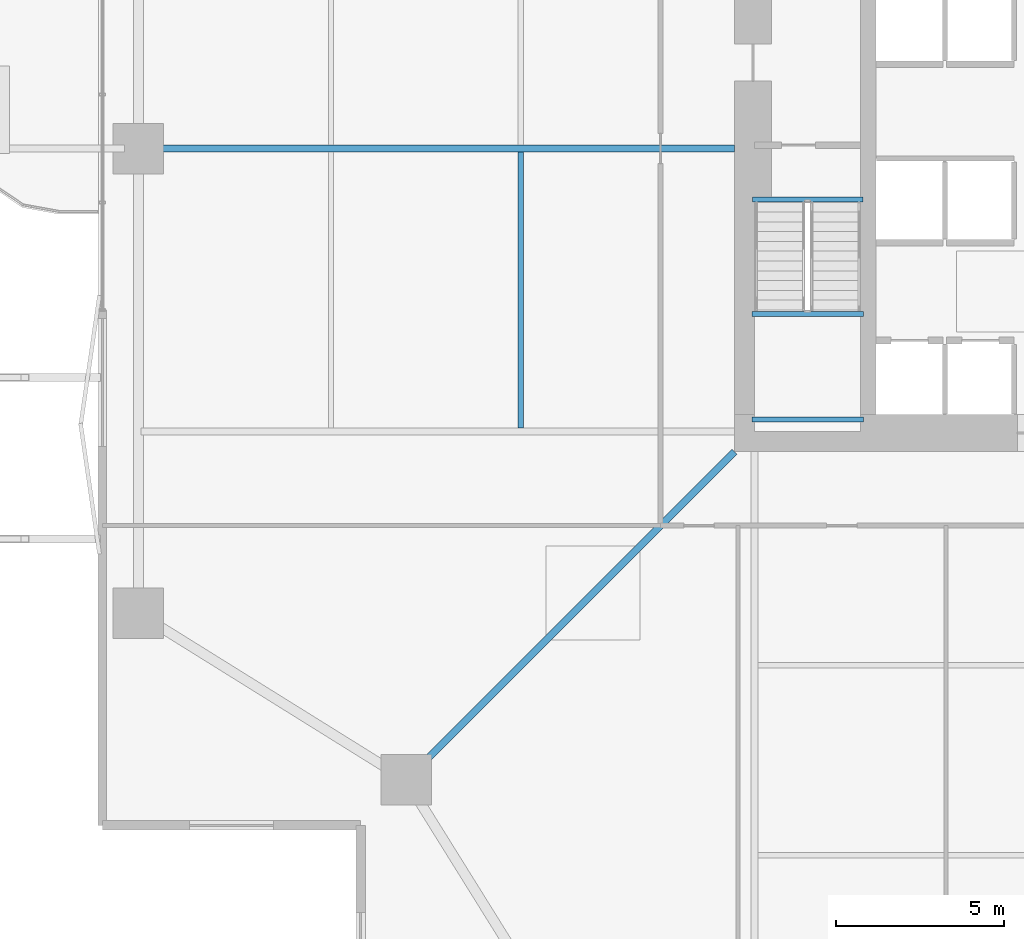
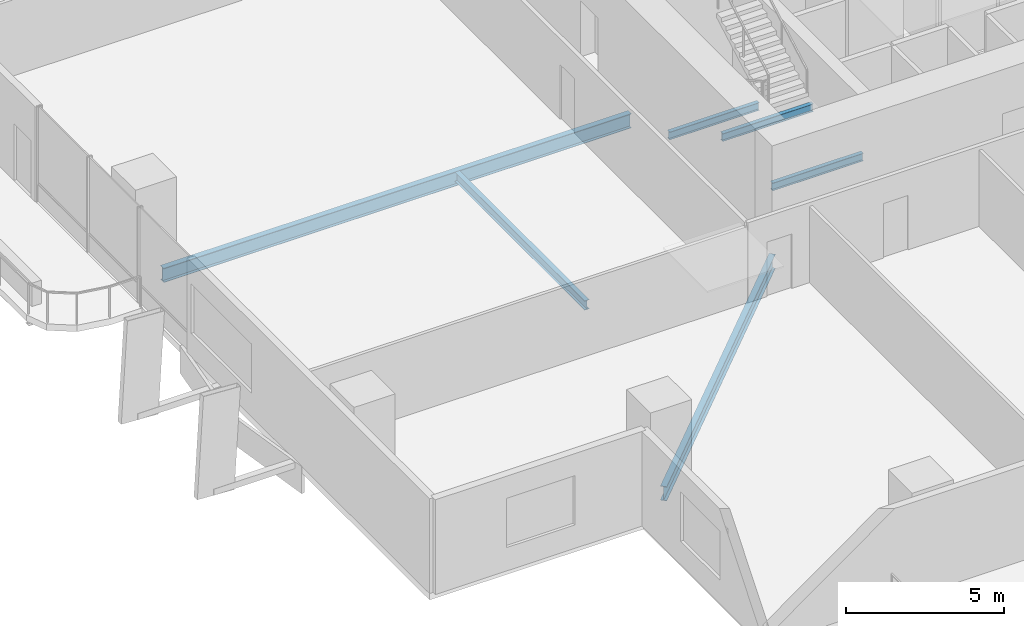
# One storey, part 5 of 23: 6 beams.
"""IFC4 building model written with IfcOpenShell, lengths in metres."""

from ifc_helpers import new_model, si_unit, direction, frame, origin, origin_2d, place, context, subcontext, project, spatial, i_section, extrude, material, material_profile, profile_set, type_object, element, save


model = new_model("IFC4")

# Units and contexts
model_context = context("Model", 3, precision=1e-05, world=origin(), true_north=direction((0.0, 1.0)))
body_context = subcontext(model_context, "Body", "Model", "MODEL_VIEW")
ifc_project = project(units=[si_unit("LENGTHUNIT", "METRE"), si_unit("AREAUNIT", "SQUARE_METRE"), si_unit("VOLUMEUNIT", "CUBIC_METRE"), si_unit("PLANEANGLEUNIT", "RADIAN"), si_unit("MASSUNIT", "GRAM", prefix="KILO")], contexts=[model_context])

# Site, building, storey
site_placement = place(None, origin())
site = spatial("IfcSite", under=ifc_project, at=site_placement, CompositionType="ELEMENT")
building_placement = place(site_placement, origin())
building = spatial("IfcBuilding", under=site, at=building_placement, Name="Belovzor Exchange Tower", CompositionType="ELEMENT")
storey_placement = place(building_placement, frame((0.0, 0.0, 41.699951171875)))
storey = spatial("IfcBuildingStorey", under=building, at=storey_placement, Name="L09", CompositionType="ELEMENT", Elevation=41.699951171875)

# Beams
ifc_material_1 = material(Name="Steel S355", Category="steel")
ifc_material_profile_1 = material_profile(ifc_material_1, i_section(OverallWidth=0.169921875, OverallDepth=0.360107421875, WebThickness=0.008056640625, FlangeThickness=0.0126953125, at=origin_2d()))
ifc_profile_set_1 = profile_set([ifc_material_profile_1], Name="Steel S355")
beam_type_1 = type_object("IfcBeamType", Name="Secondary Infill Floor Joist IPE 360", PredefinedType="BEAM", material=ifc_profile_set_1)
beam_1_placement = place(storey_placement, frame((13.455078125, 20.5048828125, -0.429931640625), z_axis=(0.0, 1.0, 0.0), x_axis=(-1.0, 0.0, 0.0)))
element("IfcBeam", 1, at=beam_1_placement, inside=storey, type_object=beam_type_1, Name="FJ-360 Secondary Infill Floor Joist IPE 360", PredefinedType="BEAM", context=body_context, shape_type="SweptSolid", body=[
    extrude(i_section(OverallWidth=0.169921875, OverallDepth=0.360107421875, WebThickness=0.008056640625, FlangeThickness=0.0126953125, at=origin_2d()), origin(), (0.0, 0.0, 1.0), 8.190185546875),
])
ifc_material_2 = material(Name="Steel S355", Category="steel")
ifc_material_profile_2 = material_profile(ifc_material_2, i_section(OverallWidth=0.14990234375, OverallDepth=0.300048828125, WebThickness=0.007080078125, FlangeThickness=0.0107421875, at=origin_2d()))
ifc_profile_set_2 = profile_set([ifc_material_profile_2], Name="Steel S355")
beam_type_2 = type_object("IfcBeamType", Name="Secondary Trim Floor Joist IPE 300", PredefinedType="BEAM", material=ifc_profile_set_2)
for number, where, z_axis, x_axis, name in (
    (2, (20.320068359375, 23.889892578125, 1.60009765625), (1.0, 0.0, 0.0), (0.0, 1.0, 0.0), "FJ-300 Secondary Trim Floor Joist IPE 300"),
    (3, (20.320068359375, 20.75, 1.60009765625), (1.0, 0.0, 0.0), (0.0, 1.0, 0.0), "FJ-300 Secondary Trim Floor Joist IPE 300"),
):
    element("IfcBeam", number, at=place(storey_placement, frame(where, z_axis=z_axis, x_axis=x_axis)), inside=storey, type_object=beam_type_2, Name=name, PredefinedType="BEAM", context=body_context, shape_type="SweptSolid", body=[
        extrude(i_section(OverallWidth=0.14990234375, OverallDepth=0.300048828125, WebThickness=0.007080078125, FlangeThickness=0.0107421875, at=origin_2d()), origin(), (0.0, 0.0, 1.0), 3.309814453125),
    ])
beam_2_placement = place(storey_placement, frame((20.340087890625, 27.280029296875, -0.39990234375), z_axis=(1.0, 0.0, 0.0), x_axis=(0.0, 1.0, 0.0)))
element("IfcBeam", 4, at=beam_2_placement, inside=storey, type_object=beam_type_2, Name="FJ-300 Secondary Trim Floor Joist IPE 300", PredefinedType="BEAM", context=body_context, shape_type="SweptSolid", body=[
    extrude(i_section(OverallWidth=0.14990234375, OverallDepth=0.300048828125, WebThickness=0.007080078125, FlangeThickness=0.0107421875, at=origin_2d()), origin(), (0.0, 0.0, 1.0), 3.27001953125),
])
ifc_material_3 = material(Name="Steel S355", Category="steel")
ifc_material_profile_3 = material_profile(ifc_material_3, i_section(OverallWidth=0.2099609375, OverallDepth=0.550048828125, WebThickness=0.010986328125, FlangeThickness=0.01708984375, at=origin_2d()))
ifc_profile_set_3 = profile_set([ifc_material_profile_3], Name="Steel S355")
beam_type_3 = type_object("IfcBeamType", Name="Zone 1 Radial Composite Floor Beam IPE 550", PredefinedType="BEAM", material=ifc_profile_set_3)
beam_3_placement = place(storey_placement, frame((19.800048828125, 28.800048828125, -0.52490234375), z_axis=(-1.0, 0.0, 0.0), x_axis=(0.0, -1.0, 0.0)))
element("IfcBeam", 5, at=beam_3_placement, inside=storey, type_object=beam_type_3, Name="FB-550 Zone 1 Radial Composite Floor Beam IPE 550", PredefinedType="BEAM", context=body_context, shape_type="SweptSolid", body=[
    extrude(i_section(OverallWidth=0.2099609375, OverallDepth=0.550048828125, WebThickness=0.010986328125, FlangeThickness=0.01708984375, at=origin_2d()), origin(), (0.0, 0.0, 1.0), 17.0400390625),
])
beam_4_placement = place(storey_placement, frame((19.800048828125, 19.800048828125, -0.52490234375), z_axis=(-0.707106781187, -0.707106781187, 0.0), x_axis=(0.707106781187, -0.707106781187, 0.0)))
element("IfcBeam", 6, at=beam_4_placement, inside=storey, type_object=beam_type_3, Name="FB-550 Zone 1 Radial Composite Floor Beam IPE 550", PredefinedType="BEAM", context=body_context, shape_type="SweptSolid", body=[
    extrude(i_section(OverallWidth=0.2099609375, OverallDepth=0.550048828125, WebThickness=0.010986328125, FlangeThickness=0.01708984375, at=origin_2d()), origin(), (0.0, 0.0, 1.0), 13.25830078125),
])

save(model, "model.ifc")
